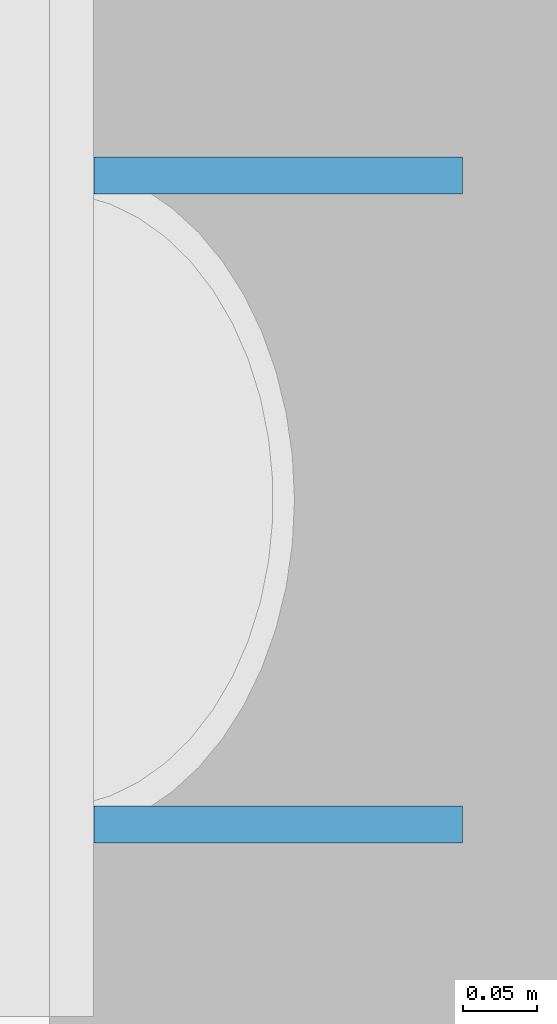
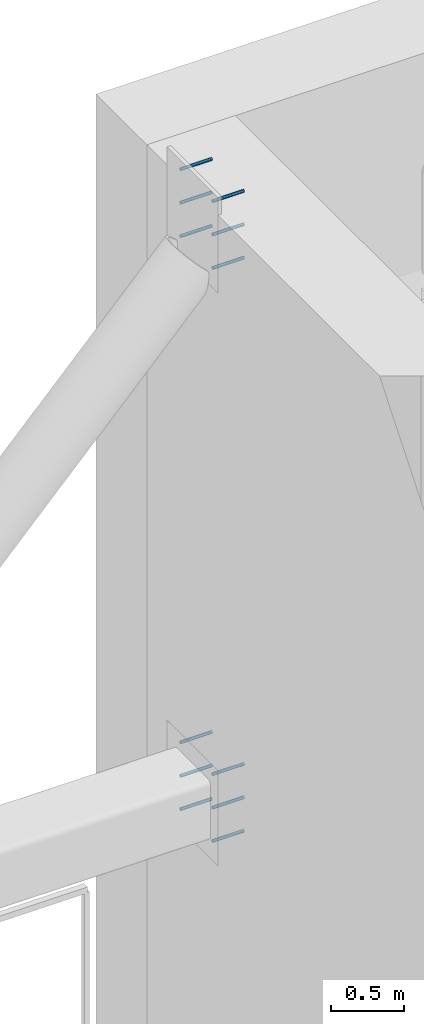
# One storey, part 6 of 9: 12 discrete accessories.
"""IFC4 building model written with IfcOpenShell, lengths in metres."""

import ifcopenshell
import ifcopenshell.guid

model = None  # the IFC model being written
_history = None  # IfcOwnerHistory: only IFC2X3 demands one
_inside = {}  # id of a spatial element -> (the spatial element, [elements in it])
_under = {}  # id of a project, library or spatial element -> (it, [spatial elements below it])
_declared = {}  # id of a project -> (the project, [libraries it declares])
_typed = {}  # id of a type object -> (the type object, [elements of that type])
_made_of = {}  # id of a material, layer set ... -> (it, [elements and type objects made of it])


def new_model(schema):
    """Start an empty IFC model of exactly this schema.

    Asked for "IFC4X3", IfcOpenShell would pick the latest addendum, in which some entities
    have other attributes; the version numbers below select the first issue.
    IFC2X3 requires an IfcOwnerHistory on every rooted entity: one is made here for all.
    """
    global model, _history
    if schema == "IFC4X3":
        model = ifcopenshell.file(schema_version=(4, 3, 0, 0))
    else:
        model = ifcopenshell.file(schema=schema)
    _inside.clear()
    _under.clear()
    _declared.clear()
    _typed.clear()
    _made_of.clear()
    _history = None
    if model.schema == "IFC2X3":
        org = make("IfcOrganization", Name="unknown")
        user = make(
            "IfcPersonAndOrganization",
            ThePerson=make("IfcPerson", FamilyName="unknown"),
            TheOrganization=org,
        )
        app = make(
            "IfcApplication",
            ApplicationDeveloper=org,
            Version="unknown",
            ApplicationFullName="unknown",
            ApplicationIdentifier="unknown",
        )
        _history = make(
            "IfcOwnerHistory",
            OwningUser=user,
            OwningApplication=app,
            ChangeAction="ADDED",
            CreationDate=0,
        )
    return model


def make(cls, **values):
    """One entity of the class cls with the attributes given. An attribute that is None is left unset."""
    return model.create_entity(
        cls, **{name: value for name, value in values.items() if value is not None}
    )


def rooted(cls, **values):
    """An entity with a GlobalId (a new one), such as an element, a storey or a relation."""
    return make(cls, GlobalId=ifcopenshell.guid.new(), OwnerHistory=_history, **values)


def si_unit(unit_type, name, prefix=None):
    """IfcSIUnit, for example si_unit("LENGTHUNIT", "METRE", prefix="MILLI")."""
    return make("IfcSIUnit", UnitType=unit_type, Prefix=prefix, Name=name)


def assignment(units):
    """IfcUnitAssignment: the units of a project."""
    return None if units is None else make("IfcUnitAssignment", Units=units)


def point(xyz):
    """IfcCartesianPoint."""
    return None if xyz is None else make("IfcCartesianPoint", Coordinates=xyz)


def direction(xyz):
    """IfcDirection."""
    return None if xyz is None else make("IfcDirection", DirectionRatios=xyz)


def frame(location, z_axis=None, x_axis=None):
    """IfcAxis2Placement3D, a coordinate frame: its origin and axes. An axis left out is left unset."""
    return make(
        "IfcAxis2Placement3D",
        Location=point(location),
        Axis=direction(z_axis),
        RefDirection=direction(x_axis),
    )


def frame_2d(location, x_axis=None):
    """IfcAxis2Placement2D, a coordinate frame in the plane: its origin and x axis."""
    return make(
        "IfcAxis2Placement2D", Location=point(location), RefDirection=direction(x_axis)
    )


def origin():
    """The frame at (0, 0, 0) with its axes left unset."""
    return frame((0.0, 0.0, 0.0))


def origin_2d():
    """The frame at (0, 0) in the plane with its x axis left unset."""
    return frame_2d((0.0, 0.0))


def place(relative_to, where):
    """IfcLocalPlacement: puts the frame where relative to a parent placement (None: the world)."""
    return make(
        "IfcLocalPlacement", PlacementRelTo=relative_to, RelativePlacement=where
    )


def context(
    kind, dimensions, precision=None, world=None, true_north=None, identifier=None
):
    """IfcGeometricRepresentationContext, for example the 3D "Model" context."""
    return make(
        "IfcGeometricRepresentationContext",
        ContextIdentifier=identifier,
        ContextType=kind,
        CoordinateSpaceDimension=dimensions,
        Precision=precision,
        WorldCoordinateSystem=world,
        TrueNorth=true_north,
    )


def subcontext(parent, identifier, kind, view, scale=None):
    """IfcGeometricRepresentationSubContext, for example "Body" below "Model"."""
    return make(
        "IfcGeometricRepresentationSubContext",
        ContextIdentifier=identifier,
        ContextType=kind,
        ParentContext=parent,
        TargetScale=scale,
        TargetView=view,
    )


def project(units=None, contexts=None):
    """IfcProject with its units and contexts."""
    return rooted(
        "IfcProject",
        Name="project",
        RepresentationContexts=contexts,
        UnitsInContext=assignment(units),
    )


def spatial(cls, under=None, at=None, **own):
    """A site, building, storey or space (cls), placed at a placement, below another one or the project."""
    s = rooted(cls, ObjectPlacement=at, **own)
    if under is not None:
        _under.setdefault(under.id(), (under, []))[1].append(s)
    return s


def profile(cls, at=None, kind="AREA", **sizes):
    """A parametric profile (cls). Its sizes go by their IFC names, for example OverallWidth=200.0."""
    return make(cls, ProfileType=kind, Position=at, **sizes)


def circle(**sizes):
    """IfcCircleProfileDef."""
    return profile("IfcCircleProfileDef", **sizes)


def extrude(swept, where, along, depth):
    """IfcExtrudedAreaSolid: the profile swept, set in the frame where, extruded along a direction by depth."""
    return make(
        "IfcExtrudedAreaSolid",
        SweptArea=swept,
        Position=where,
        ExtrudedDirection=direction(along),
        Depth=depth,
    )


def shape(context_of_items, identifier, shape_type, items):
    """IfcShapeRepresentation: the items that make up one representation, for example the "Body"."""
    return make(
        "IfcShapeRepresentation",
        ContextOfItems=context_of_items,
        RepresentationIdentifier=identifier,
        RepresentationType=shape_type,
        Items=items,
    )


def source(mapping_origin, context_of_items, identifier, shape_type, items):
    """IfcRepresentationMap: a shape defined once, which mapped items show again and again."""
    return make(
        "IfcRepresentationMap",
        MappingOrigin=mapping_origin,
        MappedRepresentation=shape(context_of_items, identifier, shape_type, items),
    )


def transform(
    local_origin,
    x_axis=None,
    y_axis=None,
    z_axis=None,
    scale=None,
    scale2=None,
    scale3=None,
    uniform=True,
):
    """IfcCartesianTransformationOperator3D, or its non-uniform kind. x_axis, y_axis, z_axis: its Axis1, 2, 3."""
    if uniform:
        return make(
            "IfcCartesianTransformationOperator3D",
            Axis1=direction(x_axis),
            Axis2=direction(y_axis),
            LocalOrigin=point(local_origin),
            Scale=scale,
            Axis3=direction(z_axis),
        )
    return make(
        "IfcCartesianTransformationOperator3DnonUniform",
        Axis1=direction(x_axis),
        Axis2=direction(y_axis),
        LocalOrigin=point(local_origin),
        Scale=scale,
        Axis3=direction(z_axis),
        Scale2=scale2,
        Scale3=scale3,
    )


def mapped(mapping_source, mapping_target):
    """IfcMappedItem: shows the shape of a source again, moved by a transform."""
    return make(
        "IfcMappedItem", MappingSource=mapping_source, MappingTarget=mapping_target
    )


def material(Name=None, Category=None):
    """IfcMaterial."""
    return make("IfcMaterial", Name=Name, Category=Category)


def material_profile(
    of_material, cross_section, Name=None, Category=None, Priority=None
):
    """IfcMaterialProfile: a cross section and its material."""
    return make(
        "IfcMaterialProfile",
        Name=Name,
        Material=of_material,
        Profile=cross_section,
        Priority=Priority,
        Category=Category,
    )


def profile_set(profiles, Name=None, composite=None):
    """IfcMaterialProfileSet."""
    return make(
        "IfcMaterialProfileSet",
        Name=Name,
        MaterialProfiles=profiles,
        CompositeProfile=composite,
    )


def made_of(thing, what):
    """Note that an element or type object is made of a material, layer set ...; save() writes the relation."""
    if what is not None:
        _made_of.setdefault(what.id(), (what, []))[1].append(thing)
    return thing


def type_object(cls, material=None, **own):
    """A type object (cls), such as IfcWallType, which elements share."""
    return made_of(rooted(cls, **own), material)


def element(
    cls,
    number,
    at=None,
    inside=None,
    cuts=None,
    type_object=None,
    material=None,
    context=None,
    identifier="Body",
    shape_type=None,
    held_by="IfcProductDefinitionShape",
    body=None,
    shapes=None,
    **own,
):
    """One element of the class cls, such as IfcWall. Its Tag is "e" and its number.

    at: its placement. inside: the storey or other place that contains it. cuts: it is an
    opening in that element (IfcRelVoidsElement). A single representation is given by context,
    identifier, shape_type and body (its items); several are given by shapes. held_by: the class
    of the entity that holds the representations. save() writes the other relations.
    """
    e = rooted(cls, Tag="e%d" % number, ObjectPlacement=at, **own)
    if body is not None:
        shapes = [shape(context, identifier, shape_type, body)]
    if shapes is not None:
        e.Representation = make(held_by, Representations=shapes)
    if inside is not None:
        _inside.setdefault(inside.id(), (inside, []))[1].append(e)
    if cuts is not None:
        rooted(
            "IfcRelVoidsElement", RelatingBuildingElement=cuts, RelatedOpeningElement=e
        )
    if type_object is not None:
        _typed.setdefault(type_object.id(), (type_object, []))[1].append(e)
    return made_of(e, material)


def aggregate(whole, parts):
    """IfcRelAggregates: a whole, such as a stair, and the parts it consists of."""
    return rooted("IfcRelAggregates", RelatingObject=whole, RelatedObjects=parts)


def save(model, path):
    """Write the relations noted so far, then the file.

    IfcRelAggregates (storeys below a building ...), IfcRelContainedInSpatialStructure (elements
    in a storey), IfcRelDefinesByType, IfcRelAssociatesMaterial and IfcRelDeclares: one each for
    every whole, place, type object, material and project.
    """
    for whole, parts in _under.values():
        aggregate(whole, parts)
    for where, things in _inside.values():
        rooted(
            "IfcRelContainedInSpatialStructure",
            RelatedElements=things,
            RelatingStructure=where,
        )
    for kind, things in _typed.values():
        rooted("IfcRelDefinesByType", RelatedObjects=things, RelatingType=kind)
    for what, things in _made_of.values():
        rooted("IfcRelAssociatesMaterial", RelatedObjects=things, RelatingMaterial=what)
    for by, libraries in _declared.values():
        rooted("IfcRelDeclares", RelatingContext=by, RelatedDefinitions=libraries)
    model.write(path)


model = new_model("IFC4")

# Units and contexts
model_context = context("Model", 3, precision=1e-05, world=origin(), true_north=direction((0.0, 1.0)))
body_context = subcontext(model_context, "Body", "Model", "MODEL_VIEW")
ifc_project = project(units=[si_unit("LENGTHUNIT", "METRE"), si_unit("AREAUNIT", "SQUARE_METRE"), si_unit("VOLUMEUNIT", "CUBIC_METRE"), si_unit("PLANEANGLEUNIT", "RADIAN"), si_unit("MASSUNIT", "GRAM", prefix="KILO")], contexts=[model_context])

# Site, building, storey
site_placement = place(None, origin())
site = spatial("IfcSite", under=ifc_project, at=site_placement, CompositionType="ELEMENT")
building_placement = place(site_placement, origin())
building = spatial("IfcBuilding", under=site, at=building_placement, Name="Trellis Farm Tower", CompositionType="ELEMENT")
storey_placement = place(building_placement, frame((0.0, 0.0, 271.39990234375)))
storey = spatial("IfcBuildingStorey", under=building, at=storey_placement, Name="L61", CompositionType="ELEMENT", Elevation=271.39990234375)

# Discrete accessories
ifc_material = material(Name="Steel S235J2", Category="steel")
ifc_material_profile = material_profile(ifc_material, circle(Radius=0.012451171875, at=origin_2d()), Name="Headed anchor stud 25x250")
ifc_profile_set = profile_set([ifc_material_profile], Name="Steel S235J2")
discrete_accessory_type = type_object("IfcDiscreteAccessoryType", Name="Headed anchor stud 25x250", PredefinedType="USERDEFINED", material=ifc_profile_set)
shared_shape = source(origin(), body_context, "Body", "SweptSolid", [
    extrude(circle(Radius=0.012451171875, at=origin_2d()), origin(), (0.0, 0.0, 1.0), 0.25),
])
for number, where, z_axis, x_axis, name in (
    (1, (-22.719970703125, 4.955078125, 2.47021484375), (1.0, 0.0, 0.0), (0.0, 1.0, 0.0), "Headed anchor stud"),
    (2, (-22.719970703125, 5.39501953125, 2.47021484375), (1.0, 0.0, 0.0), (0.0, 1.0, 0.0), "Headed anchor stud"),
    (3, (-22.719970703125, 4.955078125, 2.75), (1.0, 0.0, 0.0), (0.0, 1.0, 0.0), "Headed anchor stud"),
    (4, (-22.719970703125, 5.39501953125, 2.75), (1.0, 0.0, 0.0), (0.0, 1.0, 0.0), "Headed anchor stud"),
    (5, (-22.719970703125, 4.955078125, 3.030029296875), (1.0, 0.0, 0.0), (0.0, 1.0, 0.0), "Headed anchor stud"),
    (6, (-22.719970703125, 5.39501953125, 3.030029296875), (1.0, 0.0, 0.0), (0.0, 1.0, 0.0), "Headed anchor stud"),
    (7, (-22.719970703125, 4.955078125, 7.27001953125), (1.0, 0.0, 0.0), (0.0, 1.0, 0.0), "Headed anchor stud"),
    (8, (-22.719970703125, 5.39501953125, 7.27001953125), (1.0, 0.0, 0.0), (0.0, 1.0, 0.0), "Headed anchor stud"),
    (9, (-22.719970703125, 4.955078125, 7.550048828125), (1.0, 0.0, 0.0), (0.0, 1.0, 0.0), "Headed anchor stud"),
    (10, (-22.719970703125, 5.39501953125, 7.550048828125), (1.0, 0.0, 0.0), (0.0, 1.0, 0.0), "Headed anchor stud"),
    (11, (-22.719970703125, 4.955078125, 7.830078125), (1.0, 0.0, 0.0), (0.0, 1.0, 0.0), "Headed anchor stud"),
    (12, (-22.719970703125, 5.39501953125, 7.830078125), (1.0, 0.0, 0.0), (0.0, 1.0, 0.0), "Headed anchor stud"),
):
    element("IfcDiscreteAccessory", number, at=place(storey_placement, frame(where, z_axis=z_axis, x_axis=x_axis)), inside=storey, type_object=discrete_accessory_type, Name=name, ObjectType="Headed anchor stud", PredefinedType="USERDEFINED", context=body_context, shape_type="MappedRepresentation", body=[
        mapped(shared_shape, transform((0.0, 0.0, 0.0))),
    ])

save(model, "model.ifc")
